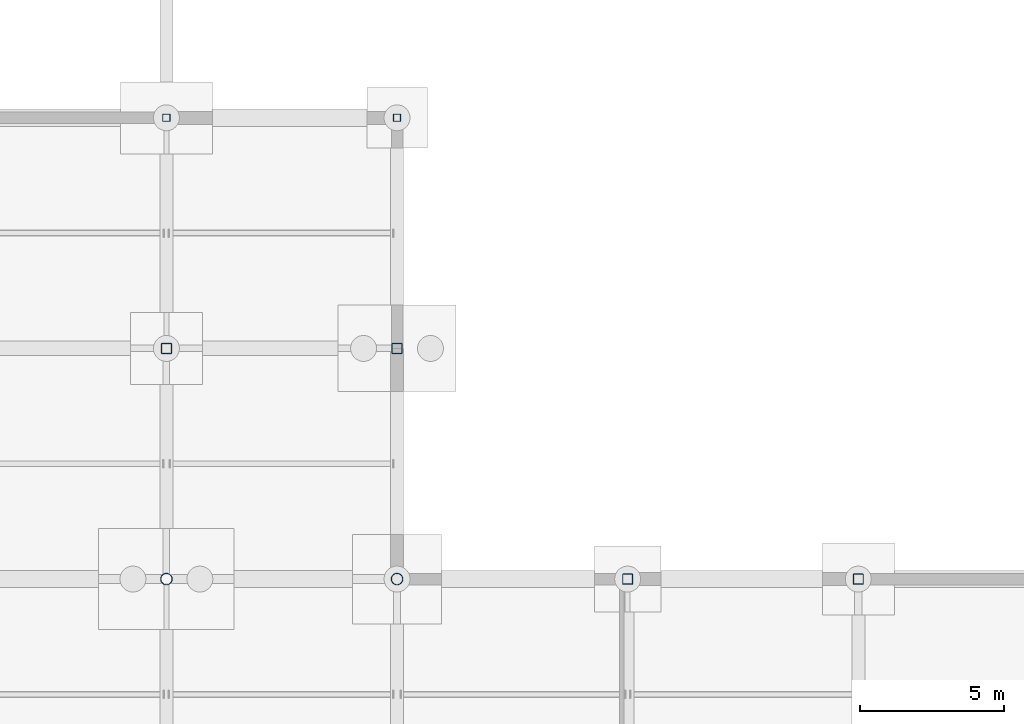
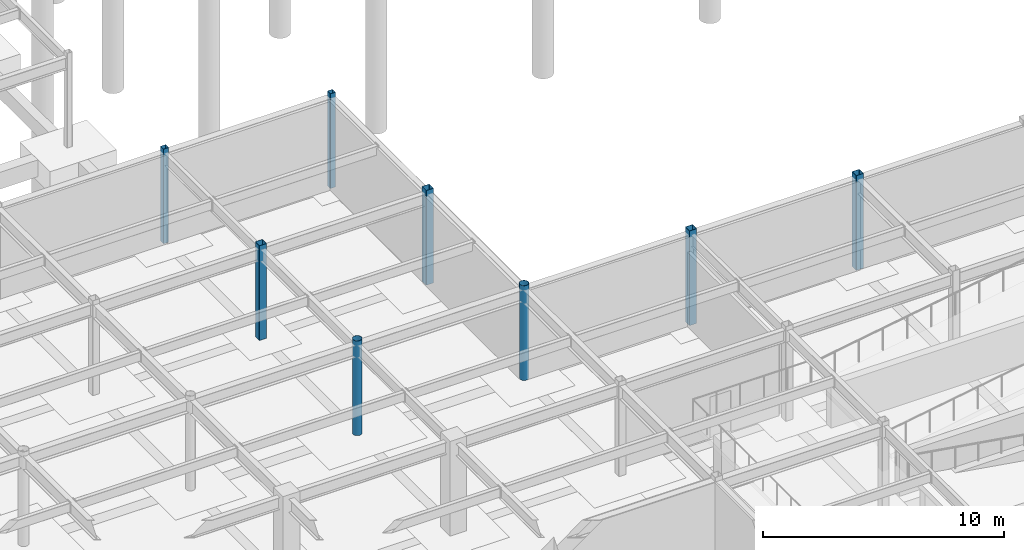
# One storey, part 37 of 105: 8 columns.
"""IFC4 building model written with IfcOpenShell, lengths in metres."""

from ifc_helpers import new_model, si_unit, direction, frame, origin, origin_2d, place, context, subcontext, project, spatial, hollow_rectangle, hollow_circle, extrude, material, material_profile, profile_set, type_object, element, save


model = new_model("IFC4")

# Units and contexts
model_context = context("Model", 3, precision=1e-05, world=origin(), true_north=direction((0.0, 1.0)))
body_context = subcontext(model_context, "Body", "Model", "MODEL_VIEW")
ifc_project = project(units=[si_unit("LENGTHUNIT", "METRE"), si_unit("AREAUNIT", "SQUARE_METRE"), si_unit("VOLUMEUNIT", "CUBIC_METRE"), si_unit("PLANEANGLEUNIT", "RADIAN"), si_unit("MASSUNIT", "GRAM", prefix="KILO")], contexts=[model_context])

# Site, building, storey
site_placement = place(None, origin())
site = spatial("IfcSite", under=ifc_project, at=site_placement, CompositionType="ELEMENT")
building_placement = place(site_placement, origin())
building = spatial("IfcBuilding", under=site, at=building_placement, Name="Solmirada Galleria", CompositionType="ELEMENT")
storey_placement = place(building_placement, frame((0.0, 0.0, -4.800048828125)))
storey = spatial("IfcBuildingStorey", under=building, at=storey_placement, Name="B1", CompositionType="ELEMENT", Elevation=-4.800048828125)

# Columns
ifc_material = material(Name="Steel S355 / ASTM A500 Grade C", Category="steel")
ifc_material_profile_1 = material_profile(ifc_material, hollow_circle(Radius=0.202880859375, WallThickness=0.01171875, at=origin_2d()), Name="HSS16.000X0.500")
ifc_profile_set_1 = profile_set([ifc_material_profile_1], Name="Steel S355 / ASTM A500 Grade C")
column_type_1 = type_object("IfcColumnType", Name="COL-CHS16", PredefinedType="COLUMN", material=ifc_profile_set_1)
for number, where, z_axis, x_axis, name in (
    (1, (136.0, 32.0, 0.0), (0.0, 0.0, 1.0), (1.0, 0.0, 0.0), "Structural column B1-1135"),
    (2, (144.0, 32.0, 0.0), (0.0, 0.0, 1.0), (1.0, 0.0, 0.0), "Structural column B1-1225"),
):
    element("IfcColumn", number, at=place(storey_placement, frame(where, z_axis=z_axis, x_axis=x_axis)), inside=storey, type_object=column_type_1, Name=name, PredefinedType="COLUMN", context=body_context, shape_type="SweptSolid", body=[
        extrude(hollow_circle(Radius=0.202880859375, WallThickness=0.01171875, at=origin_2d()), origin(), (0.0, 0.0, 1.0), 4.800048828125),
    ])
ifc_material_profile_2 = material_profile(ifc_material, hollow_rectangle(XDim=0.25390625, YDim=0.25390625, WallThickness=0.0087890625, InnerFilletRadius=0.0087890625, OuterFilletRadius=0.017822265625, at=origin_2d()), Name="HSS10X10X3/8")
ifc_profile_set_2 = profile_set([ifc_material_profile_2], Name="Steel S355 / ASTM A500 Grade C")
column_type_2 = type_object("IfcColumnType", Name="COL-HSS10", PredefinedType="COLUMN", material=ifc_profile_set_2)
for number, where, z_axis, x_axis, name in (
    (3, (136.0, 48.0, 0.0), (0.0, 0.0, 1.0), (1.0, 0.0, 0.0), "Structural column B1-1146"),
    (4, (144.0, 48.0, 0.0), (0.0, 0.0, 1.0), (1.0, 0.0, 0.0), "Structural column B1-1236"),
):
    element("IfcColumn", number, at=place(storey_placement, frame(where, z_axis=z_axis, x_axis=x_axis)), inside=storey, type_object=column_type_2, Name=name, PredefinedType="COLUMN", context=body_context, shape_type="SweptSolid", body=[
        extrude(hollow_rectangle(XDim=0.25390625, YDim=0.25390625, WallThickness=0.0087890625, InnerFilletRadius=0.0087890625, OuterFilletRadius=0.017822265625, at=origin_2d()), origin(), (0.0, 0.0, 1.0), 4.800048828125),
    ])
ifc_material_profile_3 = material_profile(ifc_material, hollow_rectangle(XDim=0.35595703125, YDim=0.35595703125, WallThickness=0.01171875, InnerFilletRadius=0.01171875, OuterFilletRadius=0.023681640625, at=origin_2d()), Name="HSS14X14X1/2")
ifc_profile_set_3 = profile_set([ifc_material_profile_3], Name="Steel S355 / ASTM A500 Grade C")
column_type_3 = type_object("IfcColumnType", Name="COL-HSS14", PredefinedType="COLUMN", material=ifc_profile_set_3)
for number, where, z_axis, x_axis, name in (
    (5, (136.0, 40.0, 0.0), (0.0, 0.0, 1.0), (1.0, 0.0, 0.0), "Structural column B1-1142"),
    (6, (144.0, 40.0, 0.0), (0.0, 0.0, 1.0), (1.0, 0.0, 0.0), "Structural column B1-1232"),
    (7, (152.0, 32.0, 0.0), (0.0, 0.0, 1.0), (1.0, 0.0, 0.0), "Structural column B1-1307"),
    (8, (160.0, 32.0, 0.0), (0.0, 0.0, 1.0), (1.0, 0.0, 0.0), "Structural column B1-1380"),
):
    element("IfcColumn", number, at=place(storey_placement, frame(where, z_axis=z_axis, x_axis=x_axis)), inside=storey, type_object=column_type_3, Name=name, PredefinedType="COLUMN", context=body_context, shape_type="SweptSolid", body=[
        extrude(hollow_rectangle(XDim=0.35595703125, YDim=0.35595703125, WallThickness=0.01171875, InnerFilletRadius=0.01171875, OuterFilletRadius=0.023681640625, at=origin_2d()), origin(), (0.0, 0.0, 1.0), 4.800048828125),
    ])

save(model, "model.ifc")
